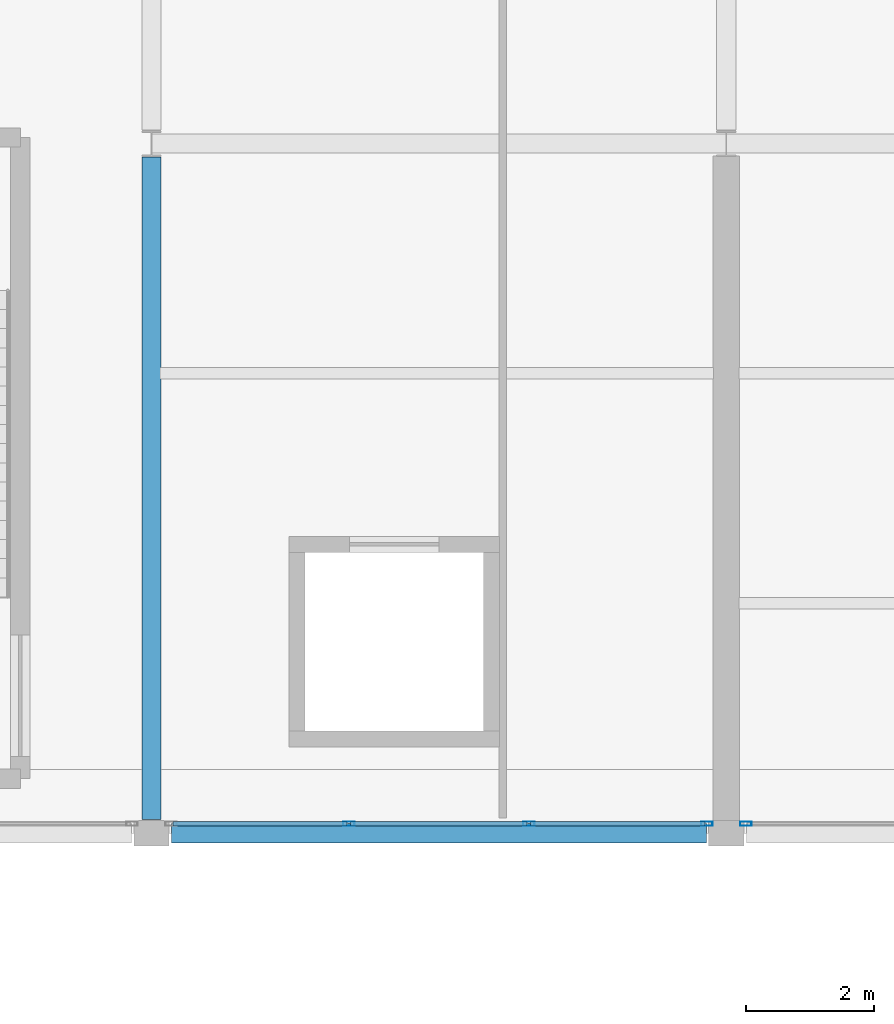
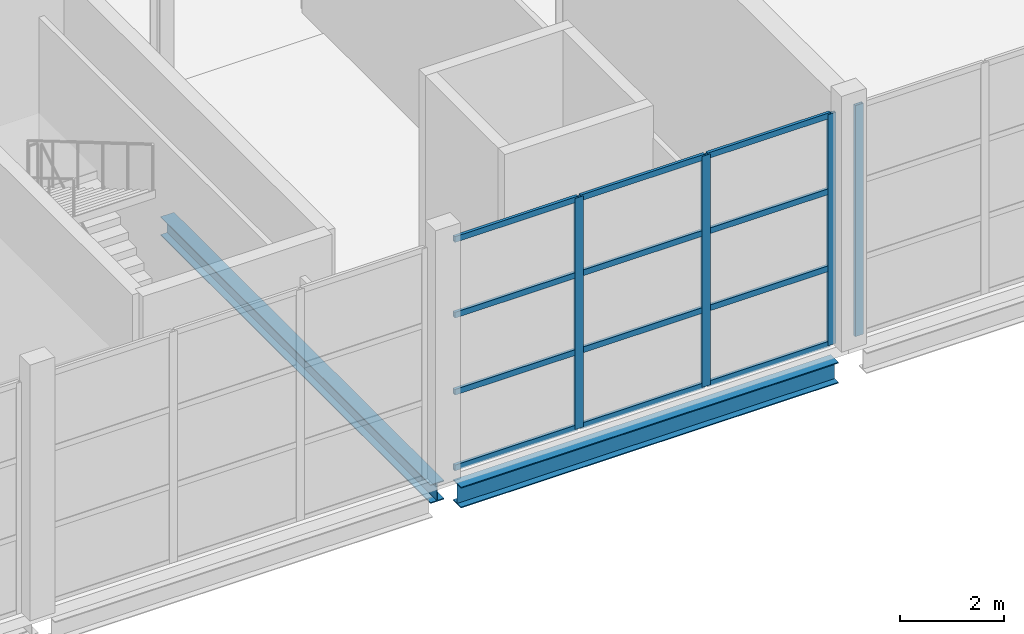
# One storey, part 70 of 191: 16 members, 2 beams, 2 elements without a shape of their own.
"""IFC4 building model written with IfcOpenShell, lengths in metres."""

from ifc_helpers import new_model, si_unit, direction, frame, origin, origin_2d, place, context, subcontext, project, spatial, hollow_rectangle, i_section, extrude, material, layer, layer_set, material_profile, profile_set, type_object, element, aggregate, save


model = new_model("IFC4")

# Units and contexts
model_context = context("Model", 3, precision=1e-05, world=origin(), true_north=direction((0.0, 1.0)))
body_context = subcontext(model_context, "Body", "Model", "MODEL_VIEW")
ifc_project = project(units=[si_unit("LENGTHUNIT", "METRE"), si_unit("AREAUNIT", "SQUARE_METRE"), si_unit("VOLUMEUNIT", "CUBIC_METRE"), si_unit("PLANEANGLEUNIT", "RADIAN"), si_unit("MASSUNIT", "GRAM", prefix="KILO")], contexts=[model_context])

# Site, building, storey
site_placement = place(None, origin())
site = spatial("IfcSite", under=ifc_project, at=site_placement, CompositionType="ELEMENT")
building_placement = place(site_placement, origin())
building = spatial("IfcBuilding", under=site, at=building_placement, Name="Tamarisk Ironworks Central Station", CompositionType="ELEMENT")
storey_placement = place(building_placement, frame((0.0, 0.0, 6.60009765625)))
storey = spatial("IfcBuildingStorey", under=building, at=storey_placement, Name="L01", CompositionType="ELEMENT", Elevation=6.60009765625)

# Beams
ifc_material_1 = material(Name="Structural steel S355J2", Category="steel")
ifc_material_profile_1 = material_profile(ifc_material_1, i_section(OverallWidth=0.300048828125, OverallDepth=0.489990234375, WebThickness=0.011962890625, FlangeThickness=0.02294921875, at=origin_2d()), Name="HEA 500")
ifc_profile_set_1 = profile_set([ifc_material_profile_1], Name="Structural steel S355J2")
beam_type_1 = type_object("IfcBeamType", Name="BM-G05", PredefinedType="BEAM", material=ifc_profile_set_1)
beam_1_placement = place(storey_placement, frame((18.31298828125, 90.0, -0.4951171875), z_axis=(1.0, 0.0, 0.0), x_axis=(0.0, 1.0, 0.0)))
element("IfcBeam", 1, at=beam_1_placement, inside=storey, type_object=beam_type_1, Name="L01 primary girder X-0095", PredefinedType="BEAM", context=body_context, shape_type="SweptSolid", body=[
    extrude(i_section(OverallWidth=0.300048828125, OverallDepth=0.489990234375, WebThickness=0.011962890625, FlangeThickness=0.02294921875, at=origin_2d()), origin(), (0.0, 0.0, 1.0), 8.3740234375),
])
ifc_material_profile_2 = material_profile(ifc_material_1, i_section(OverallWidth=0.300048828125, OverallDepth=0.43994140625, WebThickness=0.011474609375, FlangeThickness=0.02099609375, at=origin_2d()), Name="HEA 450")
ifc_profile_set_2 = profile_set([ifc_material_profile_2], Name="Structural steel S355J2")
beam_type_2 = type_object("IfcBeamType", Name="BM-G06", PredefinedType="BEAM", material=ifc_profile_set_2)
beam_2_placement = place(storey_placement, frame((18.0, 90.212890625, -0.47021484375), z_axis=(0.0, 1.0, 0.0), x_axis=(-1.0, 0.0, 0.0)))
element("IfcBeam", 2, at=beam_2_placement, inside=storey, type_object=beam_type_2, Name="L01 primary girder Y-0176", PredefinedType="BEAM", context=body_context, shape_type="SweptSolid", body=[
    extrude(i_section(OverallWidth=0.300048828125, OverallDepth=0.43994140625, WebThickness=0.011474609375, FlangeThickness=0.02099609375, at=origin_2d()), origin(), (0.0, 0.0, 1.0), 10.3740234375),
])

# Curtain wall, members
ifc_material_2 = material(Name="Anodized aluminium alloy 6063-T6", Category="aluminium")
ifc_layer = layer(ifc_material_2, 0.179931640625)
ifc_layer_set = layer_set([ifc_layer], Name="Anodized aluminium alloy 6063-T6")
curtain_wall_type = type_object("IfcCurtainWallType", Name="CW-10", PredefinedType="USERDEFINED", material=ifc_layer_set)
curtain_wall_1_placement = place(storey_placement, origin())
curtain_wall_1 = element("IfcCurtainWall", 3, at=curtain_wall_1_placement, inside=storey, type_object=curtain_wall_type, Name="Pavilion L01 S glazed arcade 18", ObjectType="GLAZED CURTAIN WALL", PredefinedType="USERDEFINED")
ifc_material_profile_3 = material_profile(ifc_material_2, hollow_rectangle(XDim=0.06494140625, YDim=0.179931640625, WallThickness=0.00390625, at=origin_2d()), Name="ALUM 180x65")
ifc_profile_set_3 = profile_set([ifc_material_profile_3], Name="Anodized aluminium alloy 6063-T6")
member_type_1 = type_object("IfcMemberType", Name="CWM-02", PredefinedType="MULLION", material=ifc_profile_set_3)
member_1_placement = place(storey_placement, frame((21.091064453125, 90.14990234375, 0.0), z_axis=(0.0, 0.0, 1.0), x_axis=(0.0, 1.0, 0.0)))
member_1 = element("IfcMember", 4, at=member_1_placement, type_object=member_type_1, Name="CW10 mullion 2", PredefinedType="MULLION", context=body_context, shape_type="SweptSolid", body=[
    extrude(hollow_rectangle(XDim=0.06494140625, YDim=0.179931640625, WallThickness=0.00390625, at=origin_2d()), origin(), (0.0, 0.0, 1.0), 5.419921875),
])
member_2_placement = place(storey_placement, frame((23.908935546875, 90.14990234375, 0.0), z_axis=(0.0, 0.0, 1.0), x_axis=(0.0, 1.0, 0.0)))
member_2 = element("IfcMember", 5, at=member_2_placement, type_object=member_type_1, Name="CW10 mullion 3", PredefinedType="MULLION", context=body_context, shape_type="SweptSolid", body=[
    extrude(hollow_rectangle(XDim=0.06494140625, YDim=0.179931640625, WallThickness=0.00390625, at=origin_2d()), origin(), (0.0, 0.0, 1.0), 5.419921875),
])
member_3_placement = place(storey_placement, frame((26.694580078125, 90.14990234375, 0.0), z_axis=(0.0, 0.0, 1.0), x_axis=(0.0, 1.0, 0.0)))
member_3 = element("IfcMember", 6, at=member_3_placement, type_object=member_type_1, Name="CW10 mullion 4", PredefinedType="MULLION", context=body_context, shape_type="SweptSolid", body=[
    extrude(hollow_rectangle(XDim=0.06494140625, YDim=0.179931640625, WallThickness=0.00390625, at=origin_2d()), origin(), (0.0, 0.0, 1.0), 5.419921875),
])

# Curtain wall, member
curtain_wall_2_placement = place(storey_placement, origin())
curtain_wall_2 = element("IfcCurtainWall", 7, at=curtain_wall_2_placement, inside=storey, type_object=curtain_wall_type, Name="Pavilion L01 S glazed arcade 27", ObjectType="GLAZED CURTAIN WALL", PredefinedType="USERDEFINED")
member_4_placement = place(storey_placement, frame((27.305419921875, 90.14990234375, 0.0), z_axis=(0.0, 0.0, 1.0), x_axis=(0.0, 1.0, 0.0)))
member_4 = element("IfcMember", 8, at=member_4_placement, type_object=member_type_1, Name="CW10 mullion 1", PredefinedType="MULLION", context=body_context, shape_type="SweptSolid", body=[
    extrude(hollow_rectangle(XDim=0.06494140625, YDim=0.179931640625, WallThickness=0.00390625, at=origin_2d()), origin(), (0.0, 0.0, 1.0), 5.419921875),
])
aggregate(curtain_wall_2, [member_4])

# Member
ifc_material_profile_4 = material_profile(ifc_material_2, hollow_rectangle(XDim=0.06494140625, YDim=0.135009765625, WallThickness=0.00341796875, at=origin_2d()), Name="ALUM 135x65")
ifc_profile_set_4 = profile_set([ifc_material_profile_4], Name="Anodized aluminium alloy 6063-T6")
member_type_2 = type_object("IfcMemberType", Name="CWT-02", PredefinedType="USERDEFINED", material=ifc_profile_set_4)
member_5_placement = place(storey_placement, frame((18.333984375, 90.14990234375, 0.032470703125), z_axis=(1.0, 0.0, 0.0), x_axis=(0.0, 1.0, 0.0)))
member_5 = element("IfcMember", 9, at=member_5_placement, type_object=member_type_2, Name="CW10 transom 1.1", ObjectType="TRANSOM", PredefinedType="USERDEFINED", context=body_context, shape_type="SweptSolid", body=[
    extrude(hollow_rectangle(XDim=0.06494140625, YDim=0.135009765625, WallThickness=0.00341796875, at=origin_2d()), origin(), (0.0, 0.0, 1.0), 2.728515625),
])

member_6_placement = place(storey_placement, frame((18.333984375, 90.14990234375, 1.806640625), z_axis=(1.0, 0.0, 0.0), x_axis=(0.0, 1.0, 0.0)))
member_6 = element("IfcMember", 10, at=member_6_placement, type_object=member_type_2, Name="CW10 transom 1.2", ObjectType="TRANSOM", PredefinedType="USERDEFINED", context=body_context, shape_type="SweptSolid", body=[
    extrude(hollow_rectangle(XDim=0.06494140625, YDim=0.135009765625, WallThickness=0.00341796875, at=origin_2d()), origin(), (0.0, 0.0, 1.0), 2.728515625),
])

member_7_placement = place(storey_placement, frame((18.333984375, 90.14990234375, 3.61328125), z_axis=(1.0, 0.0, 0.0), x_axis=(0.0, 1.0, 0.0)))
member_7 = element("IfcMember", 11, at=member_7_placement, type_object=member_type_2, Name="CW10 transom 1.3", ObjectType="TRANSOM", PredefinedType="USERDEFINED", context=body_context, shape_type="SweptSolid", body=[
    extrude(hollow_rectangle(XDim=0.06494140625, YDim=0.135009765625, WallThickness=0.00341796875, at=origin_2d()), origin(), (0.0, 0.0, 1.0), 2.728515625),
])

member_8_placement = place(storey_placement, frame((18.333984375, 90.14990234375, 5.387451171875), z_axis=(1.0, 0.0, 0.0), x_axis=(0.0, 1.0, 0.0)))
member_8 = element("IfcMember", 12, at=member_8_placement, type_object=member_type_2, Name="CW10 transom 1.4", ObjectType="TRANSOM", PredefinedType="USERDEFINED", context=body_context, shape_type="SweptSolid", body=[
    extrude(hollow_rectangle(XDim=0.06494140625, YDim=0.135009765625, WallThickness=0.00341796875, at=origin_2d()), origin(), (0.0, 0.0, 1.0), 2.728515625),
])

member_9_placement = place(storey_placement, frame((21.119384765625, 90.14990234375, 0.032470703125), z_axis=(1.0, 0.0, 0.0), x_axis=(0.0, 1.0, 0.0)))
member_9 = element("IfcMember", 13, at=member_9_placement, type_object=member_type_2, Name="CW10 transom 2.1", ObjectType="TRANSOM", PredefinedType="USERDEFINED", context=body_context, shape_type="SweptSolid", body=[
    extrude(hollow_rectangle(XDim=0.06494140625, YDim=0.135009765625, WallThickness=0.00341796875, at=origin_2d()), origin(), (0.0, 0.0, 1.0), 2.76123046875),
])

member_10_placement = place(storey_placement, frame((21.119384765625, 90.14990234375, 1.806640625), z_axis=(1.0, 0.0, 0.0), x_axis=(0.0, 1.0, 0.0)))
member_10 = element("IfcMember", 14, at=member_10_placement, type_object=member_type_2, Name="CW10 transom 2.2", ObjectType="TRANSOM", PredefinedType="USERDEFINED", context=body_context, shape_type="SweptSolid", body=[
    extrude(hollow_rectangle(XDim=0.06494140625, YDim=0.135009765625, WallThickness=0.00341796875, at=origin_2d()), origin(), (0.0, 0.0, 1.0), 2.76123046875),
])

member_11_placement = place(storey_placement, frame((21.119384765625, 90.14990234375, 3.61328125), z_axis=(1.0, 0.0, 0.0), x_axis=(0.0, 1.0, 0.0)))
member_11 = element("IfcMember", 15, at=member_11_placement, type_object=member_type_2, Name="CW10 transom 2.3", ObjectType="TRANSOM", PredefinedType="USERDEFINED", context=body_context, shape_type="SweptSolid", body=[
    extrude(hollow_rectangle(XDim=0.06494140625, YDim=0.135009765625, WallThickness=0.00341796875, at=origin_2d()), origin(), (0.0, 0.0, 1.0), 2.76123046875),
])

member_12_placement = place(storey_placement, frame((21.119384765625, 90.14990234375, 5.387451171875), z_axis=(1.0, 0.0, 0.0), x_axis=(0.0, 1.0, 0.0)))
member_12 = element("IfcMember", 16, at=member_12_placement, type_object=member_type_2, Name="CW10 transom 2.4", ObjectType="TRANSOM", PredefinedType="USERDEFINED", context=body_context, shape_type="SweptSolid", body=[
    extrude(hollow_rectangle(XDim=0.06494140625, YDim=0.135009765625, WallThickness=0.00341796875, at=origin_2d()), origin(), (0.0, 0.0, 1.0), 2.76123046875),
])

member_13_placement = place(storey_placement, frame((23.9375, 90.14990234375, 0.032470703125), z_axis=(1.0, 0.0, 0.0), x_axis=(0.0, 1.0, 0.0)))
member_13 = element("IfcMember", 17, at=member_13_placement, type_object=member_type_2, Name="CW10 transom 3.1", ObjectType="TRANSOM", PredefinedType="USERDEFINED", context=body_context, shape_type="SweptSolid", body=[
    extrude(hollow_rectangle(XDim=0.06494140625, YDim=0.135009765625, WallThickness=0.00341796875, at=origin_2d()), origin(), (0.0, 0.0, 1.0), 2.728515625),
])

member_14_placement = place(storey_placement, frame((23.9375, 90.14990234375, 1.806640625), z_axis=(1.0, 0.0, 0.0), x_axis=(0.0, 1.0, 0.0)))
member_14 = element("IfcMember", 18, at=member_14_placement, type_object=member_type_2, Name="CW10 transom 3.2", ObjectType="TRANSOM", PredefinedType="USERDEFINED", context=body_context, shape_type="SweptSolid", body=[
    extrude(hollow_rectangle(XDim=0.06494140625, YDim=0.135009765625, WallThickness=0.00341796875, at=origin_2d()), origin(), (0.0, 0.0, 1.0), 2.728515625),
])

member_15_placement = place(storey_placement, frame((23.9375, 90.14990234375, 3.61328125), z_axis=(1.0, 0.0, 0.0), x_axis=(0.0, 1.0, 0.0)))
member_15 = element("IfcMember", 19, at=member_15_placement, type_object=member_type_2, Name="CW10 transom 3.3", ObjectType="TRANSOM", PredefinedType="USERDEFINED", context=body_context, shape_type="SweptSolid", body=[
    extrude(hollow_rectangle(XDim=0.06494140625, YDim=0.135009765625, WallThickness=0.00341796875, at=origin_2d()), origin(), (0.0, 0.0, 1.0), 2.728515625),
])

member_16_placement = place(storey_placement, frame((23.9375, 90.14990234375, 5.387451171875), z_axis=(1.0, 0.0, 0.0), x_axis=(0.0, 1.0, 0.0)))
member_16 = element("IfcMember", 20, at=member_16_placement, type_object=member_type_2, Name="CW10 transom 3.4", ObjectType="TRANSOM", PredefinedType="USERDEFINED", context=body_context, shape_type="SweptSolid", body=[
    extrude(hollow_rectangle(XDim=0.06494140625, YDim=0.135009765625, WallThickness=0.00341796875, at=origin_2d()), origin(), (0.0, 0.0, 1.0), 2.728515625),
])

aggregate(curtain_wall_1, [member_1, member_2, member_3, member_5, member_6, member_7, member_8, member_9, member_10, member_11, member_12, member_13, member_14, member_15, member_16])

save(model, "model.ifc")
